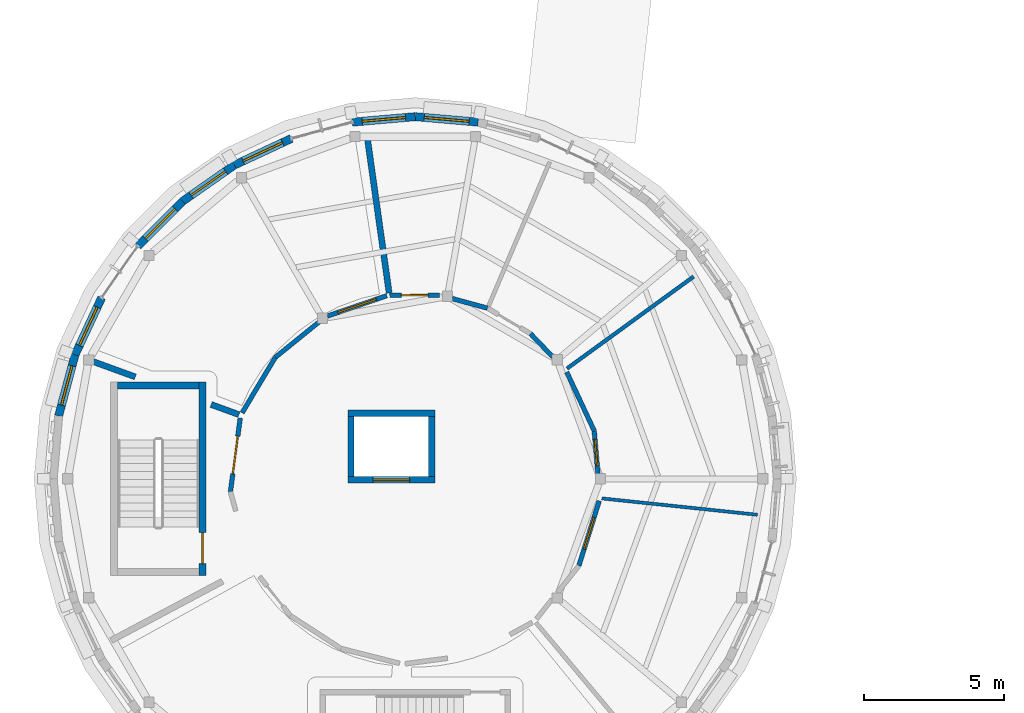
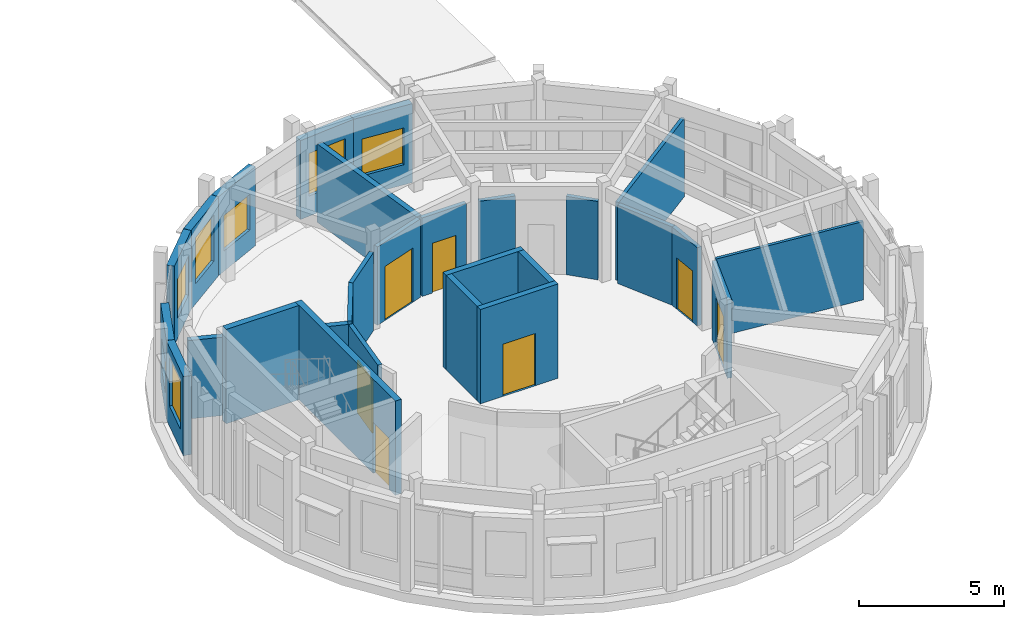
# One storey, part 33 of 58: 28 walls, 7 doors, 7 windows, 14 openings.
"""IFC4 building model written with IfcOpenShell, lengths in metres."""

from ifc_helpers import new_model, si_unit, direction, frame, frame_2d, origin, place, context, subcontext, project, spatial, rectangle, extrude, material, layer, layer_set, type_object, element, fill, save


model = new_model("IFC4")

# Units and contexts
model_context = context("Model", 3, precision=1e-05, world=origin(), true_north=direction((0.0, 1.0)))
body_context = subcontext(model_context, "Body", "Model", "MODEL_VIEW")
ifc_project = project(units=[si_unit("LENGTHUNIT", "METRE"), si_unit("AREAUNIT", "SQUARE_METRE"), si_unit("VOLUMEUNIT", "CUBIC_METRE"), si_unit("PLANEANGLEUNIT", "RADIAN"), si_unit("MASSUNIT", "GRAM", prefix="KILO")], contexts=[model_context])

# Site, building, storey
site_placement = place(None, origin())
site = spatial("IfcSite", under=ifc_project, at=site_placement, CompositionType="ELEMENT")
building_placement = place(site_placement, origin())
building = spatial("IfcBuilding", under=site, at=building_placement, Name="Aldenvaro Health Centre", CompositionType="ELEMENT")
storey_placement = place(building_placement, frame((0.0, 0.0, 8.75)))
storey = spatial("IfcBuildingStorey", under=building, at=storey_placement, Name="L02", CompositionType="ELEMENT", Elevation=8.75)

# Wall, opening, door
ifc_material_1 = material(Name="Gypsum Stud Acoustic Assembly")
ifc_layer_1 = layer(ifc_material_1, 0.1650390625, Name="Gypsum Stud Acoustic Assembly")
ifc_layer_set_1 = layer_set([ifc_layer_1], Name="Gypsum Stud Acoustic Assembly")
wall_type_1 = type_object("IfcWallType", Name="WL-COR-165", PredefinedType="PARTITIONING", material=ifc_layer_set_1)
wall_1_placement = place(storey_placement, frame((17.485107421875, 25.02099609375, 0.0), z_axis=(0.0, 0.0, 1.0), x_axis=(-0.94617630085, -0.323651676514, 0.0)))
wall_1 = element("IfcWall", 1, at=wall_1_placement, inside=storey, type_object=wall_type_1, Name="D5 L02 corridor wall 01.1", PredefinedType="PARTITIONING", context=body_context, shape_type="SweptSolid", body=[
    extrude(rectangle(XDim=2.236572265625, YDim=0.1650390625, at=frame_2d((1.1181640625, 0.0))), origin(), (0.0, 0.0, 1.0), 3.303955078125),
])
opening_1_placement = place(wall_1_placement, frame((0.39306640625, 0.0, 0.0)))
opening_1 = element("IfcOpeningElement", 2, at=opening_1_placement, cuts=wall_1, Name="Opening XD-01", PredefinedType="OPENING", context=body_context, shape_type="SweptSolid", body=[
    extrude(rectangle(XDim=1.449951171875, YDim=2.280029296875, at=frame_2d((0.72509765625, 1.14013671875))), frame((0.0, 0.092529296875, 0.0), z_axis=(0.0, -1.0, 0.0), x_axis=(1.0, 0.0, 0.0)), (0.0, 0.0, 1.0), 0.18505859375),
])
ifc_material_2 = material(Name="Lead-Lined Shielded Imaging Door")
door_type_1 = type_object("IfcDoorType", Name="DR-IMG-145", OperationType="NOTDEFINED", PredefinedType="DOOR", material=ifc_material_2)
door_1_placement = place(opening_1_placement, origin())
door_1 = element("IfcDoor", 3, at=door_1_placement, inside=storey, type_object=door_type_1, Name="Fluoroscopy Procedure Suite Door", OperationType="SINGLE_SWING_RIGHT", OverallHeight=2.280029296875, OverallWidth=1.449951171875, PredefinedType="DOOR", context=body_context, shape_type="SweptSolid", body=[
    extrude(rectangle(XDim=1.449951171875, YDim=2.280029296875, at=frame_2d((0.72509765625, 1.14013671875))), frame((0.0, 0.02490234375, 0.0), z_axis=(0.0, -1.0, 0.0), x_axis=(1.0, 0.0, 0.0)), (0.0, 0.0, 1.0), 0.050048828125),
])
fill(opening_1, door_1)

# Walls
wall_2_placement = place(storey_placement, frame((15.068115234375, 24.0830078125, 0.0), z_axis=(0.0, 0.0, 1.0), x_axis=(-0.777315998558, -0.629110354696, 0.0)))
element("IfcWall", 4, at=wall_2_placement, inside=storey, type_object=wall_type_1, Name="D5 L02 corridor wall 01.2", PredefinedType="PARTITIONING", context=body_context, shape_type="SweptSolid", body=[
    extrude(rectangle(XDim=1.998291015625, YDim=0.1650390625, at=frame_2d((0.9990234375, 0.0))), origin(), (0.0, 0.0, 1.0), 3.303955078125),
])
wall_3_placement = place(storey_placement, frame((13.514892578125, 22.825927734375, 0.0), z_axis=(0.0, 0.0, 1.0), x_axis=(-0.513466768532, -0.858109478804, 0.0)))
element("IfcWall", 5, at=wall_3_placement, inside=storey, type_object=wall_type_1, Name="D5 L02 corridor wall 01.3", PredefinedType="PARTITIONING", context=body_context, shape_type="SweptSolid", body=[
    extrude(rectangle(XDim=2.3037109375, YDim=0.1650390625, at=frame_2d((1.15185546875, 0.0))), origin(), (0.0, 0.0, 1.0), 3.303955078125),
])

# Wall, opening, door
wall_4_placement = place(storey_placement, frame((12.264892578125, 20.6650390625, 0.0), z_axis=(0.0, 0.0, 1.0), x_axis=(-0.131747018073, -0.991283371811, 0.0)))
wall_4 = element("IfcWall", 6, at=wall_4_placement, inside=storey, type_object=wall_type_1, Name="D5 L02 corridor wall 02.1", PredefinedType="PARTITIONING", context=body_context, shape_type="SweptSolid", body=[
    extrude(rectangle(XDim=2.648193359375, YDim=0.1650390625, at=frame_2d((1.32421875, 0.0))), origin(), (0.0, 0.0, 1.0), 3.303955078125),
])
opening_2_placement = place(wall_4_placement, frame((0.64892578125, 0.0, 0.0)))
opening_2 = element("IfcOpeningElement", 7, at=opening_2_placement, cuts=wall_4, Name="Opening XD-02", PredefinedType="OPENING", context=body_context, shape_type="SweptSolid", body=[
    extrude(rectangle(XDim=1.35009765625, YDim=2.219970703125, at=frame_2d((0.675048828125, 1.10986328125))), frame((0.0, 0.092529296875, 0.0), z_axis=(0.0, -1.0, 0.0), x_axis=(1.0, 0.0, 0.0)), (0.0, 0.0, 1.0), 0.18505859375),
])
ifc_material_3 = material(Name="RF-Shielded MRI Suite Door")
door_type_2 = type_object("IfcDoorType", Name="DR-IMG-135", OperationType="NOTDEFINED", PredefinedType="DOOR", material=ifc_material_3)
door_2_placement = place(opening_2_placement, origin())
door_2 = element("IfcDoor", 8, at=door_2_placement, inside=storey, type_object=door_type_2, Name="Vascular Ultrasound Lab Door", OperationType="SINGLE_SWING_LEFT", OverallHeight=2.219970703125, OverallWidth=1.35009765625, PredefinedType="DOOR", context=body_context, shape_type="SweptSolid", body=[
    extrude(rectangle(XDim=1.35009765625, YDim=2.219970703125, at=frame_2d((0.675048828125, 1.10986328125))), frame((0.0, 0.02490234375, 0.0), z_axis=(0.0, -1.0, 0.0), x_axis=(1.0, 0.0, 0.0)), (0.0, 0.0, 1.0), 0.050048828125),
])
fill(opening_2, door_2)

wall_5_placement = place(storey_placement, frame((24.326904296875, 15.40087890625, 0.0), z_axis=(0.0, 0.0, 1.0), x_axis=(0.299617014986, 0.954059560159, 0.0)))
wall_5 = element("IfcWall", 9, at=wall_5_placement, inside=storey, type_object=wall_type_1, Name="D5 L02 corridor wall 05.3", PredefinedType="PARTITIONING", context=body_context, shape_type="SweptSolid", body=[
    extrude(rectangle(XDim=2.42333984375, YDim=0.1650390625, at=frame_2d((1.211669921875, 0.0))), origin(), (0.0, 0.0, 1.0), 3.303955078125),
])
opening_3_placement = place(wall_5_placement, frame((0.62109375, 0.0, 0.0)))
opening_3 = element("IfcOpeningElement", 10, at=opening_3_placement, cuts=wall_5, Name="Opening PD-01", PredefinedType="OPENING", context=body_context, shape_type="SweptSolid", body=[
    extrude(rectangle(XDim=1.179931640625, YDim=2.199951171875, at=frame_2d((0.58984375, 1.10009765625))), frame((0.0, 0.092529296875, 0.0), z_axis=(0.0, -1.0, 0.0), x_axis=(1.0, 0.0, 0.0)), (0.0, 0.0, 1.0), 0.18505859375),
])
ifc_material_4 = material(Name="Fire-Rated Louvred Plant Door")
door_type_3 = type_object("IfcDoorType", Name="DR-PLT-01", OperationType="NOTDEFINED", PredefinedType="DOOR", material=ifc_material_4)
door_3_placement = place(opening_3_placement, origin())
door_3 = element("IfcDoor", 11, at=door_3_placement, inside=storey, type_object=door_type_3, Name="Imaging PACS Server Room Door", OperationType="SINGLE_SWING_LEFT", OverallHeight=2.199951171875, OverallWidth=1.179931640625, PredefinedType="DOOR", context=body_context, shape_type="SweptSolid", body=[
    extrude(rectangle(XDim=1.179931640625, YDim=2.199951171875, at=frame_2d((0.58984375, 1.10009765625))), frame((0.0, 0.02490234375, 0.0), z_axis=(0.0, -1.0, 0.0), x_axis=(1.0, 0.0, 0.0)), (0.0, 0.0, 1.0), 0.050048828125),
])
fill(opening_3, door_3)

wall_6_placement = place(storey_placement, frame((25.008056640625, 18.6630859375, 0.0), z_axis=(0.0, 0.0, 1.0), x_axis=(-0.085807505565, 0.996311734343, 0.0)))
wall_6 = element("IfcWall", 12, at=wall_6_placement, inside=storey, type_object=wall_type_1, Name="D5 L02 corridor wall 06.1", PredefinedType="PARTITIONING", context=body_context, shape_type="SweptSolid", body=[
    extrude(rectangle(XDim=1.550537109375, YDim=0.1650390625, at=frame_2d((0.775390625, 0.0))), origin(), (0.0, 0.0, 1.0), 3.303955078125),
])
opening_4_placement = place(wall_6_placement, frame((0.300048828125, 0.0, 0.0)))
opening_4 = element("IfcOpeningElement", 13, at=opening_4_placement, cuts=wall_6, Name="Opening UD-02", PredefinedType="OPENING", context=body_context, shape_type="SweptSolid", body=[
    extrude(rectangle(XDim=0.949951171875, YDim=2.159912109375, at=frame_2d((0.47509765625, 1.080078125))), frame((0.0, 0.092529296875, 0.0), z_axis=(0.0, -1.0, 0.0), x_axis=(1.0, 0.0, 0.0)), (0.0, 0.0, 1.0), 0.18505859375),
])
ifc_material_5 = material(Name="Sterile Core Supply Door")
door_type_4 = type_object("IfcDoorType", Name="DR-STR-02", OperationType="NOTDEFINED", PredefinedType="DOOR", material=ifc_material_5)
door_4_placement = place(opening_4_placement, origin())
door_4 = element("IfcDoor", 14, at=door_4_placement, inside=storey, type_object=door_type_4, Name="Clean Contrast Supply Store Door", OperationType="SINGLE_SWING_RIGHT", OverallHeight=2.159912109375, OverallWidth=0.949951171875, PredefinedType="DOOR", context=body_context, shape_type="SweptSolid", body=[
    extrude(rectangle(XDim=0.949951171875, YDim=2.159912109375, at=frame_2d((0.47509765625, 1.080078125))), frame((0.0, 0.02490234375, 0.0), z_axis=(0.0, -1.0, 0.0), x_axis=(1.0, 0.0, 0.0)), (0.0, 0.0, 1.0), 0.050048828125),
])
fill(opening_4, door_4)

# Walls
wall_7_placement = place(storey_placement, frame((24.875, 20.2080078125, 0.0), z_axis=(0.0, 0.0, 1.0), x_axis=(-0.423851557369, 0.9057316696, 0.0)))
element("IfcWall", 15, at=wall_7_placement, inside=storey, type_object=wall_type_1, Name="D5 L02 corridor wall 06.2", PredefinedType="PARTITIONING", context=body_context, shape_type="SweptSolid", body=[
    extrude(rectangle(XDim=2.309814453125, YDim=0.1650390625, at=frame_2d((1.15478515625, 0.0))), origin(), (0.0, 0.0, 1.0), 3.303955078125),
])
wall_8_placement = place(storey_placement, frame((23.39794921875, 22.842041015625, 0.0), z_axis=(0.0, 0.0, 1.0), x_axis=(-0.692068123198, 0.721832191616, 0.0)))
element("IfcWall", 16, at=wall_8_placement, inside=storey, type_object=wall_type_1, Name="D5 L02 corridor wall 07.1", PredefinedType="PARTITIONING", context=body_context, shape_type="SweptSolid", body=[
    extrude(rectangle(XDim=1.14013671875, YDim=0.1650390625, at=frame_2d((0.570068359375, 0.0))), origin(), (0.0, 0.0, 1.0), 3.303955078125),
])
wall_9_placement = place(storey_placement, frame((21.070068359375, 24.5791015625, 0.0), z_axis=(0.0, 0.0, 1.0), x_axis=(-0.965053473757, 0.262053034306, 0.0)))
element("IfcWall", 17, at=wall_9_placement, inside=storey, type_object=wall_type_1, Name="D5 L02 corridor wall 08.1", PredefinedType="PARTITIONING", context=body_context, shape_type="SweptSolid", body=[
    extrude(rectangle(XDim=1.300537109375, YDim=0.1650390625, at=frame_2d((0.650390625, 0.0))), origin(), (0.0, 0.0, 1.0), 3.303955078125),
])

# Wall, opening, door
wall_10_placement = place(storey_placement, frame((19.361083984375, 25.0439453125, 0.0), z_axis=(0.0, 0.0, 1.0), x_axis=(-0.999992542295, -0.003862040163, 0.0)))
wall_10 = element("IfcWall", 18, at=wall_10_placement, inside=storey, type_object=wall_type_1, Name="D5 L02 corridor wall 08.2", PredefinedType="PARTITIONING", context=body_context, shape_type="SweptSolid", body=[
    extrude(rectangle(XDim=1.77001953125, YDim=0.1650390625, at=frame_2d((0.885009765625, 0.0))), origin(), (0.0, 0.0, 1.0), 3.303955078125),
])
opening_5_placement = place(wall_10_placement, frame((0.4150390625, 0.0, 0.0)))
opening_5 = element("IfcOpeningElement", 19, at=opening_5_placement, cuts=wall_10, Name="Opening WD-02", PredefinedType="OPENING", context=body_context, shape_type="SweptSolid", body=[
    extrude(rectangle(XDim=0.93994140625, YDim=2.10009765625, at=frame_2d((0.469970703125, 1.050048828125))), frame((0.0, 0.092529296875, 0.0), z_axis=(0.0, -1.0, 0.0), x_axis=(1.0, 0.0, 0.0)), (0.0, 0.0, 1.0), 0.18505859375),
])
ifc_material_6 = material(Name="Accessible Sanitary Laminate Door")
door_type_5 = type_object("IfcDoorType", Name="DR-WC-02", OperationType="NOTDEFINED", PredefinedType="DOOR", material=ifc_material_6)
door_5_placement = place(opening_5_placement, origin())
door_5 = element("IfcDoor", 20, at=door_5_placement, inside=storey, type_object=door_type_5, Name="Female Staff WC Door", OperationType="SINGLE_SWING_RIGHT", OverallHeight=2.10009765625, OverallWidth=0.93994140625, PredefinedType="DOOR", context=body_context, shape_type="SweptSolid", body=[
    extrude(rectangle(XDim=0.93994140625, YDim=2.10009765625, at=frame_2d((0.469970703125, 1.050048828125))), frame((0.0, 0.02490234375, 0.0), z_axis=(0.0, -1.0, 0.0), x_axis=(1.0, 0.0, 0.0)), (0.0, 0.0, 1.0), 0.050048828125),
])
fill(opening_5, door_5)

# Wall, opening, window
ifc_material_7 = material(Name="Cross-laminated timber CLT E1", Category="wood")
ifc_layer_2 = layer(ifc_material_7, 0.2900390625, Name="Cross-laminated timber CLT E1", Category="wood")
ifc_layer_set_2 = layer_set([ifc_layer_2], Name="Cross-laminated timber CLT E1")
wall_type_2 = type_object("IfcWallType", Name="WL-EXT-290", PredefinedType="ELEMENTEDWALL", material=ifc_layer_set_2)
wall_11_placement = place(storey_placement, frame((5.7958984375, 20.739990234375, 0.0), z_axis=(0.0, 0.0, 1.0), x_axis=(0.258824721145, 0.96592430538, 0.0)))
wall_11 = element("IfcWall", 21, at=wall_11_placement, inside=storey, type_object=wall_type_2, Name="D5 L02 exterior wall 20", PredefinedType="ELEMENTEDWALL", context=body_context, shape_type="SweptSolid", body=[
    extrude(rectangle(XDim=2.248779296875, YDim=0.2900390625, at=frame_2d((1.12451171875, 0.0))), origin(), (0.0, 0.0, 1.0), 3.3291015625),
])
opening_6_placement = place(wall_11_placement, frame((0.39892578125, 0.0, 0.85009765625)))
opening_6 = element("IfcOpeningElement", 22, at=opening_6_placement, cuts=wall_11, Name="Opening W-61", PredefinedType="OPENING", context=body_context, shape_type="SweptSolid", body=[
    extrude(rectangle(XDim=1.449951171875, YDim=2.050048828125, at=frame_2d((0.72509765625, 1.02490234375))), frame((0.0, 0.155029296875, 0.0), z_axis=(0.0, -1.0, 0.0), x_axis=(1.0, 0.0, 0.0)), (0.0, 0.0, 1.0), 0.31005859375),
])
ifc_material_8 = material(Name="Thermally Broken Aluminium Low-E Glass", Category="aluminium")
window_type_1 = type_object("IfcWindowType", Name="WN-EXT-61", PartitioningType="SINGLE_PANEL", PredefinedType="WINDOW", material=ifc_material_8)
window_1_placement = place(opening_6_placement, origin())
window_1 = element("IfcWindow", 23, at=window_1_placement, inside=storey, type_object=window_type_1, Name="D5 L02 clinical window 20", OverallHeight=2.050048828125, OverallWidth=1.449951171875, PartitioningType="SINGLE_PANEL", PredefinedType="WINDOW", context=body_context, shape_type="SweptSolid", body=[
    extrude(rectangle(XDim=1.449951171875, YDim=2.050048828125, at=frame_2d((0.72509765625, 1.02490234375))), frame((0.0, 0.030029296875, 0.0), z_axis=(0.0, -1.0, 0.0), x_axis=(1.0, 0.0, 0.0)), (0.0, 0.0, 1.0), 0.06005859375),
])
fill(opening_6, window_1)

wall_12_placement = place(storey_placement, frame((6.3779296875, 22.912109375, 0.0), z_axis=(0.0, 0.0, 1.0), x_axis=(0.422504983593, 0.906360600886, 0.0)))
wall_12 = element("IfcWall", 24, at=wall_12_placement, inside=storey, type_object=wall_type_2, Name="D5 L02 exterior wall 21", PredefinedType="ELEMENTEDWALL", context=body_context, shape_type="SweptSolid", body=[
    extrude(rectangle(XDim=2.248291015625, YDim=0.2900390625, at=frame_2d((1.1240234375, 0.0))), origin(), (0.0, 0.0, 1.0), 3.3291015625),
])
opening_7_placement = place(wall_12_placement, frame((0.3740234375, 0.0, 0.85009765625)))
opening_7 = element("IfcOpeningElement", 25, at=opening_7_placement, cuts=wall_12, Name="Opening W-62", PredefinedType="OPENING", context=body_context, shape_type="SweptSolid", body=[
    extrude(rectangle(XDim=1.5, YDim=1.300048828125, at=frame_2d((0.75, 0.64990234375))), frame((0.0, 0.155029296875, 0.0), z_axis=(0.0, -1.0, 0.0), x_axis=(1.0, 0.0, 0.0)), (0.0, 0.0, 1.0), 0.31005859375),
])
window_type_2 = type_object("IfcWindowType", Name="WN-EXT-62", PartitioningType="SINGLE_PANEL", PredefinedType="WINDOW", material=ifc_material_8)
window_2_placement = place(opening_7_placement, origin())
window_2 = element("IfcWindow", 26, at=window_2_placement, inside=storey, type_object=window_type_2, Name="D5 L02 clinical window 21", OverallHeight=1.300048828125, OverallWidth=1.5, PartitioningType="SINGLE_PANEL", PredefinedType="WINDOW", context=body_context, shape_type="SweptSolid", body=[
    extrude(rectangle(XDim=1.5, YDim=1.300048828125, at=frame_2d((0.75, 0.64990234375))), frame((0.0, 0.030029296875, 0.0), z_axis=(0.0, -1.0, 0.0), x_axis=(1.0, 0.0, 0.0)), (0.0, 0.0, 1.0), 0.06005859375),
])
fill(opening_7, window_2)

wall_13_placement = place(storey_placement, frame((8.617919921875, 26.7919921875, 0.0), z_axis=(0.0, 0.0, 1.0), x_axis=(0.707106781187, 0.707106781187, 0.0)))
wall_13 = element("IfcWall", 27, at=wall_13_placement, inside=storey, type_object=wall_type_2, Name="D5 L02 exterior wall 23", PredefinedType="ELEMENTEDWALL", context=body_context, shape_type="SweptSolid", body=[
    extrude(rectangle(XDim=2.248779296875, YDim=0.2900390625, at=frame_2d((1.12451171875, 0.0))), origin(), (0.0, 0.0, 1.0), 3.3291015625),
])
opening_8_placement = place(wall_13_placement, frame((0.3740234375, 0.0, 0.85009765625)))
opening_8 = element("IfcOpeningElement", 28, at=opening_8_placement, cuts=wall_13, Name="Opening W-63", PredefinedType="OPENING", context=body_context, shape_type="SweptSolid", body=[
    extrude(rectangle(XDim=1.5, YDim=1.64990234375, at=frame_2d((0.75, 0.824951171875))), frame((0.0, 0.155029296875, 0.0), z_axis=(0.0, -1.0, 0.0), x_axis=(1.0, 0.0, 0.0)), (0.0, 0.0, 1.0), 0.31005859375),
])
window_type_3 = type_object("IfcWindowType", Name="WN-EXT-63", PartitioningType="SINGLE_PANEL", PredefinedType="WINDOW", material=ifc_material_8)
window_3_placement = place(opening_8_placement, origin())
window_3 = element("IfcWindow", 29, at=window_3_placement, inside=storey, type_object=window_type_3, Name="D5 L02 clinical window 23", OverallHeight=1.64990234375, OverallWidth=1.5, PartitioningType="SINGLE_PANEL", PredefinedType="WINDOW", context=body_context, shape_type="SweptSolid", body=[
    extrude(rectangle(XDim=1.5, YDim=1.64990234375, at=frame_2d((0.75, 0.824951171875))), frame((0.0, 0.030029296875, 0.0), z_axis=(0.0, -1.0, 0.0), x_axis=(1.0, 0.0, 0.0)), (0.0, 0.0, 1.0), 0.06005859375),
])
fill(opening_8, window_3)

wall_14_placement = place(storey_placement, frame((10.2080078125, 28.382080078125, 0.0), z_axis=(0.0, 0.0, 1.0), x_axis=(0.819104393925, 0.573644482107, 0.0)))
wall_14 = element("IfcWall", 30, at=wall_14_placement, inside=storey, type_object=wall_type_2, Name="D5 L02 exterior wall 24", PredefinedType="ELEMENTEDWALL", context=body_context, shape_type="SweptSolid", body=[
    extrude(rectangle(XDim=2.248779296875, YDim=0.2900390625, at=frame_2d((1.12451171875, 0.0))), origin(), (0.0, 0.0, 1.0), 3.3291015625),
])
opening_9_placement = place(wall_14_placement, frame((0.3740234375, 0.0, 0.85009765625)))
opening_9 = element("IfcOpeningElement", 31, at=opening_9_placement, cuts=wall_14, Name="Opening W-64", PredefinedType="OPENING", context=body_context, shape_type="SweptSolid", body=[
    extrude(rectangle(XDim=1.5, YDim=1.949951171875, at=frame_2d((0.75, 0.97509765625))), frame((0.0, 0.155029296875, 0.0), z_axis=(0.0, -1.0, 0.0), x_axis=(1.0, 0.0, 0.0)), (0.0, 0.0, 1.0), 0.31005859375),
])
window_type_4 = type_object("IfcWindowType", Name="WN-EXT-64", PartitioningType="SINGLE_PANEL", PredefinedType="WINDOW", material=ifc_material_8)
window_4_placement = place(opening_9_placement, origin())
window_4 = element("IfcWindow", 32, at=window_4_placement, inside=storey, type_object=window_type_4, Name="D5 L02 clinical window 24", OverallHeight=1.949951171875, OverallWidth=1.5, PartitioningType="SINGLE_PANEL", PredefinedType="WINDOW", context=body_context, shape_type="SweptSolid", body=[
    extrude(rectangle(XDim=1.5, YDim=1.949951171875, at=frame_2d((0.75, 0.97509765625))), frame((0.0, 0.030029296875, 0.0), z_axis=(0.0, -1.0, 0.0), x_axis=(1.0, 0.0, 0.0)), (0.0, 0.0, 1.0), 0.06005859375),
])
fill(opening_9, window_4)

wall_15_placement = place(storey_placement, frame((12.050048828125, 29.672119140625, 0.0), z_axis=(0.0, 0.0, 1.0), x_axis=(0.906360600886, 0.422504983593, 0.0)))
wall_15 = element("IfcWall", 33, at=wall_15_placement, inside=storey, type_object=wall_type_2, Name="D5 L02 exterior wall 25", PredefinedType="ELEMENTEDWALL", context=body_context, shape_type="SweptSolid", body=[
    extrude(rectangle(XDim=2.248291015625, YDim=0.2900390625, at=frame_2d((1.1240234375, 0.0))), origin(), (0.0, 0.0, 1.0), 3.3291015625),
])
opening_10_placement = place(wall_15_placement, frame((0.34912109375, 0.0, 0.85009765625)))
opening_10 = element("IfcOpeningElement", 34, at=opening_10_placement, cuts=wall_15, Name="Opening W-65", PredefinedType="OPENING", context=body_context, shape_type="SweptSolid", body=[
    extrude(rectangle(XDim=1.550048828125, YDim=1.5, at=frame_2d((0.77490234375, 0.75))), frame((0.0, 0.155029296875, 0.0), z_axis=(0.0, -1.0, 0.0), x_axis=(1.0, 0.0, 0.0)), (0.0, 0.0, 1.0), 0.31005859375),
])
window_type_5 = type_object("IfcWindowType", Name="WN-EXT-65", PartitioningType="SINGLE_PANEL", PredefinedType="WINDOW", material=ifc_material_8)
window_5_placement = place(opening_10_placement, origin())
window_5 = element("IfcWindow", 35, at=window_5_placement, inside=storey, type_object=window_type_5, Name="D5 L02 clinical window 25", OverallHeight=1.5, OverallWidth=1.550048828125, PartitioningType="SINGLE_PANEL", PredefinedType="WINDOW", context=body_context, shape_type="SweptSolid", body=[
    extrude(rectangle(XDim=1.550048828125, YDim=1.5, at=frame_2d((0.77490234375, 0.75))), frame((0.0, 0.030029296875, 0.0), z_axis=(0.0, -1.0, 0.0), x_axis=(1.0, 0.0, 0.0)), (0.0, 0.0, 1.0), 0.06005859375),
])
fill(opening_10, window_5)

wall_16_placement = place(storey_placement, frame((16.260009765625, 31.2041015625, 0.0), z_axis=(0.0, 0.0, 1.0), x_axis=(0.996201374201, 0.087079400775, 0.0)))
wall_16 = element("IfcWall", 36, at=wall_16_placement, inside=storey, type_object=wall_type_2, Name="D5 L02 exterior wall 27", PredefinedType="ELEMENTEDWALL", context=body_context, shape_type="SweptSolid", body=[
    extrude(rectangle(XDim=2.24853515625, YDim=0.2900390625, at=frame_2d((1.124267578125, 0.0))), origin(), (0.0, 0.0, 1.0), 3.3291015625),
])
opening_11_placement = place(wall_16_placement, frame((0.34912109375, 0.0, 0.85009765625)))
opening_11 = element("IfcOpeningElement", 37, at=opening_11_placement, cuts=wall_16, Name="Opening W-66", PredefinedType="OPENING", context=body_context, shape_type="SweptSolid", body=[
    extrude(rectangle(XDim=1.550048828125, YDim=1.800048828125, at=frame_2d((0.77490234375, 0.89990234375))), frame((0.0, 0.155029296875, 0.0), z_axis=(0.0, -1.0, 0.0), x_axis=(1.0, 0.0, 0.0)), (0.0, 0.0, 1.0), 0.31005859375),
])
window_type_6 = type_object("IfcWindowType", Name="WN-EXT-66", PartitioningType="SINGLE_PANEL", PredefinedType="WINDOW", material=ifc_material_8)
window_6_placement = place(opening_11_placement, origin())
window_6 = element("IfcWindow", 38, at=window_6_placement, inside=storey, type_object=window_type_6, Name="D5 L02 clinical window 27", OverallHeight=1.800048828125, OverallWidth=1.550048828125, PartitioningType="SINGLE_PANEL", PredefinedType="WINDOW", context=body_context, shape_type="SweptSolid", body=[
    extrude(rectangle(XDim=1.550048828125, YDim=1.800048828125, at=frame_2d((0.77490234375, 0.89990234375))), frame((0.0, 0.030029296875, 0.0), z_axis=(0.0, -1.0, 0.0), x_axis=(1.0, 0.0, 0.0)), (0.0, 0.0, 1.0), 0.06005859375),
])
fill(opening_11, window_6)

wall_17_placement = place(storey_placement, frame((18.5, 31.39990234375, 0.0), z_axis=(0.0, 0.0, 1.0), x_axis=(0.996201374201, -0.087079400775, 0.0)))
wall_17 = element("IfcWall", 39, at=wall_17_placement, inside=storey, type_object=wall_type_2, Name="D5 L02 exterior wall 28", PredefinedType="ELEMENTEDWALL", context=body_context, shape_type="SweptSolid", body=[
    extrude(rectangle(XDim=2.24853515625, YDim=0.2900390625, at=frame_2d((1.124267578125, 0.0))), origin(), (0.0, 0.0, 1.0), 3.3291015625),
])
opening_12_placement = place(wall_17_placement, frame((0.323974609375, 0.0, 0.85009765625)))
opening_12 = element("IfcOpeningElement", 40, at=opening_12_placement, cuts=wall_17, Name="Opening W-67", PredefinedType="OPENING", context=body_context, shape_type="SweptSolid", body=[
    extrude(rectangle(XDim=1.60009765625, YDim=1.550048828125, at=frame_2d((0.800048828125, 0.77490234375))), frame((0.0, 0.155029296875, 0.0), z_axis=(0.0, -1.0, 0.0), x_axis=(1.0, 0.0, 0.0)), (0.0, 0.0, 1.0), 0.31005859375),
])
window_type_7 = type_object("IfcWindowType", Name="WN-EXT-67", PartitioningType="SINGLE_PANEL", PredefinedType="WINDOW", material=ifc_material_8)
window_7_placement = place(opening_12_placement, origin())
window_7 = element("IfcWindow", 41, at=window_7_placement, inside=storey, type_object=window_type_7, Name="D5 L02 clinical window 28", OverallHeight=1.550048828125, OverallWidth=1.60009765625, PartitioningType="SINGLE_PANEL", PredefinedType="WINDOW", context=body_context, shape_type="SweptSolid", body=[
    extrude(rectangle(XDim=1.60009765625, YDim=1.550048828125, at=frame_2d((0.800048828125, 0.77490234375))), frame((0.0, 0.030029296875, 0.0), z_axis=(0.0, -1.0, 0.0), x_axis=(1.0, 0.0, 0.0)), (0.0, 0.0, 1.0), 0.06005859375),
])
fill(opening_12, window_7)

# Walls
ifc_material_9 = material(Name="Concrete f'c 35 MPa", Category="concrete")
ifc_layer_3 = layer(ifc_material_9, 0.215087890625, Name="Concrete f'c 35 MPa", Category="concrete")
ifc_layer_set_3 = layer_set([ifc_layer_3], Name="Concrete f'c 35 MPa")
wall_type_3 = type_object("IfcWallType", Name="WL-IMG-215", PredefinedType="SOLIDWALL", material=ifc_layer_set_3)
wall_18_placement = place(storey_placement, frame((17.570068359375, 25.117919921875, 0.0), z_axis=(0.0, 0.0, 1.0), x_axis=(-0.139279606871, 0.990253094471, 0.0)))
element("IfcWall", 42, at=wall_18_placement, inside=storey, type_object=wall_type_3, Name="D5 L02 clinical partition 1.1", PredefinedType="SOLIDWALL", context=body_context, shape_type="SweptSolid", body=[
    extrude(rectangle(XDim=5.58642578125, YDim=0.215087890625, at=frame_2d((2.793212890625, 0.0))), origin(), (0.0, 0.0, 1.0), 3.303955078125),
])
wall_19_placement = place(storey_placement, frame((12.219970703125, 20.785888671875, 0.0), z_axis=(0.0, 0.0, 1.0), x_axis=(-0.939759586286, 0.341836101053, 0.0)))
element("IfcWall", 43, at=wall_19_placement, inside=storey, type_object=wall_type_3, Name="D5 L02 clinical partition 2.1", PredefinedType="SOLIDWALL", context=body_context, shape_type="SweptSolid", body=[
    extrude(rectangle(XDim=1.053466796875, YDim=0.215087890625, at=frame_2d((0.52685546875, 0.0))), origin(), (0.0, 0.0, 1.0), 3.303955078125),
])
wall_20_placement = place(storey_placement, frame((8.527099609375, 22.1298828125, 0.0), z_axis=(0.0, 0.0, 1.0), x_axis=(-0.939759586286, 0.341836101053, 0.0)))
element("IfcWall", 44, at=wall_20_placement, inside=storey, type_object=wall_type_3, Name="D5 L02 clinical partition 2.2", PredefinedType="SOLIDWALL", context=body_context, shape_type="SweptSolid", body=[
    extrude(rectangle(XDim=1.685546875, YDim=0.215087890625, at=frame_2d((0.8427734375, 0.0))), origin(), (0.0, 0.0, 1.0), 3.303955078125),
])

# Wall, opening, door
ifc_material_10 = material(Name="Concrete f'c 40 MPa", Category="concrete")
ifc_layer_4 = layer(ifc_material_10, 0.22509765625, Name="Concrete f'c 40 MPa", Category="concrete")
ifc_layer_set_4 = layer_set([ifc_layer_4], Name="Concrete f'c 40 MPa")
wall_type_4 = type_object("IfcWallType", Name="WL-SHAFT-225", PredefinedType="SHEAR", material=ifc_layer_set_4)
wall_21_placement = place(storey_placement, frame((16.10009765625, 18.4619140625, 0.0), z_axis=(0.0, 0.0, 1.0), x_axis=(1.0, 0.0, 0.0)))
wall_21 = element("IfcWall", 45, at=wall_21_placement, inside=storey, type_object=wall_type_4, Name="LF-05 L02 lift shaft front wall", PredefinedType="SHEAR", context=body_context, shape_type="SweptSolid", body=[
    extrude(rectangle(XDim=3.099853515625, YDim=0.22509765625, at=frame_2d((1.5498046875, 0.0))), origin(), (0.0, 0.0, 1.0), 3.97509765625),
])
opening_13_placement = place(wall_21_placement, frame((0.89990234375, 0.0, 0.0)))
opening_13 = element("IfcOpeningElement", 46, at=opening_13_placement, cuts=wall_21, Name="Opening LD-02", PredefinedType="OPENING", context=body_context, shape_type="SweptSolid", body=[
    extrude(rectangle(XDim=1.300048828125, YDim=2.199951171875, at=frame_2d((0.64990234375, 1.10009765625))), frame((0.0, 0.12255859375, 0.0), z_axis=(0.0, -1.0, 0.0), x_axis=(1.0, 0.0, 0.0)), (0.0, 0.0, 1.0), 0.2451171875),
])
ifc_material_11 = material(Name="Stainless Steel Stretcher Landing Door", Category="steel")
door_type_6 = type_object("IfcDoorType", Name="DR-LIFT-130", OperationType="DOUBLE_DOOR_SLIDING", PredefinedType="DOOR", material=ifc_material_11)
door_6_placement = place(opening_13_placement, origin())
door_6 = element("IfcDoor", 47, at=door_6_placement, inside=storey, type_object=door_type_6, Name="Lift LF-05 L02 Sliding Landing Door", OperationType="DOUBLE_DOOR_SLIDING", OverallHeight=2.199951171875, OverallWidth=1.300048828125, PredefinedType="DOOR", context=body_context, shape_type="SweptSolid", body=[
    extrude(rectangle(XDim=1.300048828125, YDim=2.199951171875, at=frame_2d((0.64990234375, 1.10009765625))), frame((0.0, 0.02490234375, 0.0), z_axis=(0.0, -1.0, 0.0), x_axis=(1.0, 0.0, 0.0)), (0.0, 0.0, 1.0), 0.050048828125),
])
fill(opening_13, door_6)

# Walls
wall_22_placement = place(storey_placement, frame((16.10009765625, 20.8369140625, 0.0), z_axis=(0.0, 0.0, 1.0), x_axis=(1.0, 0.0, 0.0)))
element("IfcWall", 48, at=wall_22_placement, inside=storey, type_object=wall_type_4, Name="LF-05 L02 lift shaft rear wall", PredefinedType="SHEAR", context=body_context, shape_type="SweptSolid", body=[
    extrude(rectangle(XDim=3.099853515625, YDim=0.22509765625, at=frame_2d((1.5498046875, 0.0))), origin(), (0.0, 0.0, 1.0), 3.97509765625),
])
for number, where, z_axis, x_axis, name in (
    (49, (16.2119140625, 18.574951171875, 0.0), (0.0, 0.0, 1.0), (0.0, 1.0, 0.0), "LF-05 L02 lift shaft side wall L"),
    (50, (19.0869140625, 18.574951171875, 0.0), (0.0, 0.0, 1.0), (0.0, 1.0, 0.0), "LF-05 L02 lift shaft side wall R"),
):
    element("IfcWall", number, at=place(storey_placement, frame(where, z_axis=z_axis, x_axis=x_axis)), inside=storey, type_object=wall_type_4, Name=name, PredefinedType="SHEAR", context=body_context, shape_type="SweptSolid", body=[
        extrude(rectangle(XDim=2.150146484375, YDim=0.22509765625, at=frame_2d((1.0751953125, 0.0))), origin(), (0.0, 0.0, 1.0), 3.97509765625),
    ])

# Wall, opening, door
ifc_layer_5 = layer(ifc_material_10, 0.25, Name="Concrete f'c 40 MPa", Category="concrete")
ifc_layer_set_5 = layer_set([ifc_layer_5], Name="Concrete f'c 40 MPa")
wall_type_5 = type_object("IfcWallType", Name="WL-SHAFT-250", PredefinedType="SHEAR", material=ifc_layer_set_5)
wall_23_placement = place(storey_placement, frame((10.925048828125, 15.050048828125, 0.0), z_axis=(0.0, 0.0, 1.0), x_axis=(0.0, 1.0, 0.0)))
wall_23 = element("IfcWall", 51, at=wall_23_placement, inside=storey, type_object=wall_type_5, Name="ST-09 L02 inner core wall", PredefinedType="SHEAR", context=body_context, shape_type="SweptSolid", body=[
    extrude(rectangle(XDim=6.89990234375, YDim=0.25, at=frame_2d((3.449951171875, 0.0))), origin(), (0.0, 0.0, 1.0), 3.97509765625),
])
opening_14_placement = place(wall_23_placement, frame((0.429931640625, 0.0, 0.0)))
opening_14 = element("IfcOpeningElement", 52, at=opening_14_placement, cuts=wall_23, Name="Opening FD-01", PredefinedType="OPENING", context=body_context, shape_type="SweptSolid", body=[
    extrude(rectangle(XDim=1.10009765625, YDim=2.14990234375, at=frame_2d((0.550048828125, 1.074951171875))), frame((0.0, 0.135009765625, 0.0), z_axis=(0.0, -1.0, 0.0), x_axis=(1.0, 0.0, 0.0)), (0.0, 0.0, 1.0), 0.27001953125),
])
ifc_material_12 = material(Name="Fire-Rated Steel Door Assembly", Category="steel")
door_type_7 = type_object("IfcDoorType", Name="DR-STAIR-110", OperationType="NOTDEFINED", PredefinedType="DOOR", material=ifc_material_12)
door_7_placement = place(opening_14_placement, origin())
door_7 = element("IfcDoor", 53, at=door_7_placement, inside=storey, type_object=door_type_7, Name="ST-09 L02 fire stair door", OperationType="SINGLE_SWING_RIGHT", OverallHeight=2.14990234375, OverallWidth=1.10009765625, PredefinedType="DOOR", context=body_context, shape_type="SweptSolid", body=[
    extrude(rectangle(XDim=1.10009765625, YDim=2.14990234375, at=frame_2d((0.550048828125, 1.074951171875))), frame((0.0, 0.02490234375, 0.0), z_axis=(0.0, -1.0, 0.0), x_axis=(1.0, 0.0, 0.0)), (0.0, 0.0, 1.0), 0.050048828125),
])
fill(opening_14, door_7)

# Walls
wall_24_placement = place(storey_placement, frame((10.800048828125, 21.824951171875, 0.0), z_axis=(0.0, 0.0, 1.0), x_axis=(-1.0, 0.0, 0.0)))
element("IfcWall", 54, at=wall_24_placement, inside=storey, type_object=wall_type_5, Name="ST-09 L02 side core wall R", PredefinedType="SHEAR", context=body_context, shape_type="SweptSolid", body=[
    extrude(rectangle(XDim=2.900146484375, YDim=0.25, at=frame_2d((1.4501953125, 0.0))), origin(), (0.0, 0.0, 1.0), 3.97509765625),
])
ifc_material_13 = material(Name="Light Gauge Steel Stud Partition", Category="steel")
ifc_layer_6 = layer(ifc_material_13, 0.114990234375, Name="Light Gauge Steel Stud Partition", Category="steel")
ifc_layer_set_6 = layer_set([ifc_layer_6], Name="Light Gauge Steel Stud Partition")
wall_type_6 = type_object("IfcWallType", Name="WL-SUB-115", PredefinedType="PARTITIONING", material=ifc_layer_set_6)
wall_25_placement = place(storey_placement, frame((25.14599609375, 17.801025390625, 0.0), z_axis=(0.0, 0.0, 1.0), x_axis=(0.994528479097, -0.10446580429, 0.0)))
element("IfcWall", 55, at=wall_25_placement, inside=storey, type_object=wall_type_6, Name="D5 L02 clinical partition 6.1", PredefinedType="PARTITIONING", context=body_context, shape_type="SweptSolid", body=[
    extrude(rectangle(XDim=5.571533203125, YDim=0.114990234375, at=frame_2d((2.78564453125, 0.0))), origin(), (0.0, 0.0, 1.0), 3.303955078125),
])
ifc_material_14 = material(Name="Moisture-Resistant Plumbing Stud Wall")
ifc_layer_7 = layer(ifc_material_14, 0.135009765625, Name="Moisture-Resistant Plumbing Stud Wall")
ifc_layer_set_7 = layer_set([ifc_layer_7], Name="Moisture-Resistant Plumbing Stud Wall")
wall_type_7 = type_object("IfcWallType", Name="WL-WET-135", PredefinedType="PLUMBINGWALL", material=ifc_layer_set_7)
wall_26_placement = place(storey_placement, frame((23.906982421875, 22.427978515625, 0.0), z_axis=(0.0, 0.0, 1.0), x_axis=(0.808989937146, 0.58782249157, 0.0)))
element("IfcWall", 56, at=wall_26_placement, inside=storey, type_object=wall_type_7, Name="D5 L02 clinical partition 7.1", PredefinedType="PLUMBINGWALL", context=body_context, shape_type="SweptSolid", body=[
    extrude(rectangle(XDim=5.5712890625, YDim=0.135009765625, at=frame_2d((2.78564453125, 0.0))), origin(), (0.0, 0.0, 1.0), 3.303955078125),
])

save(model, "model.ifc")
